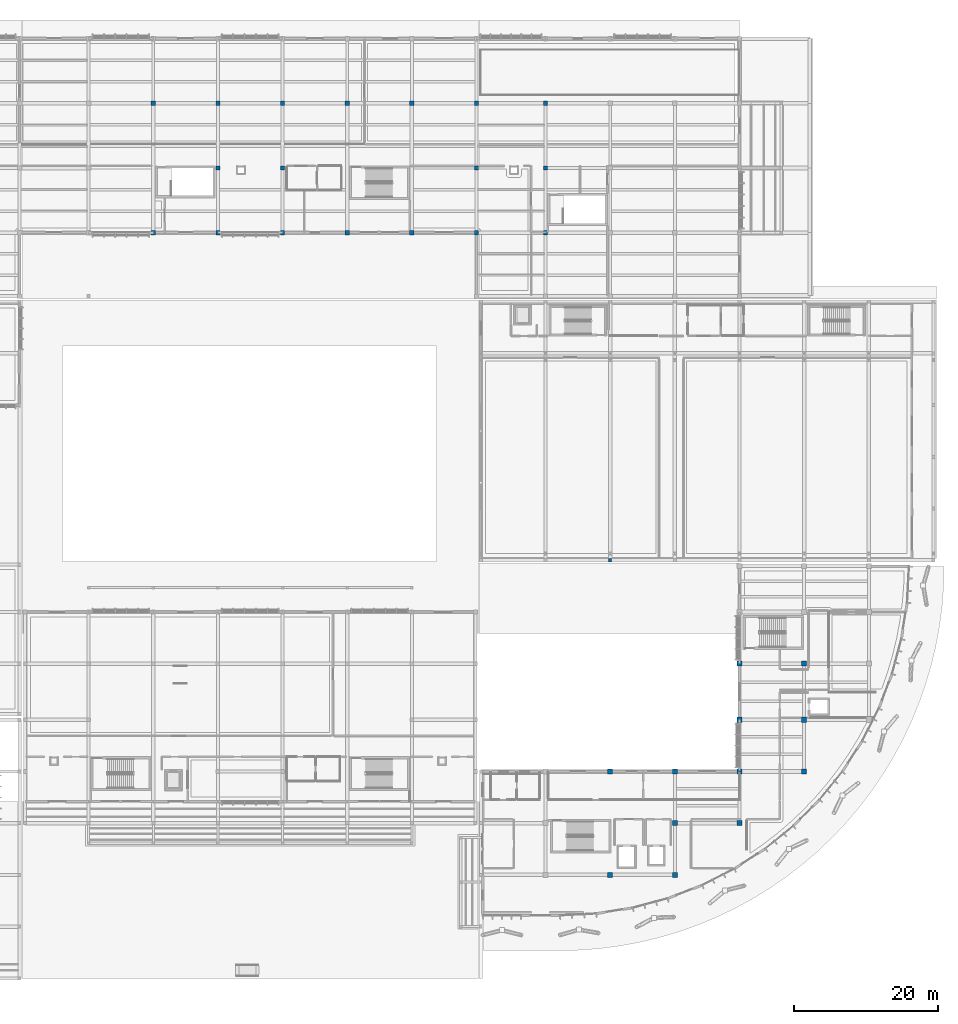
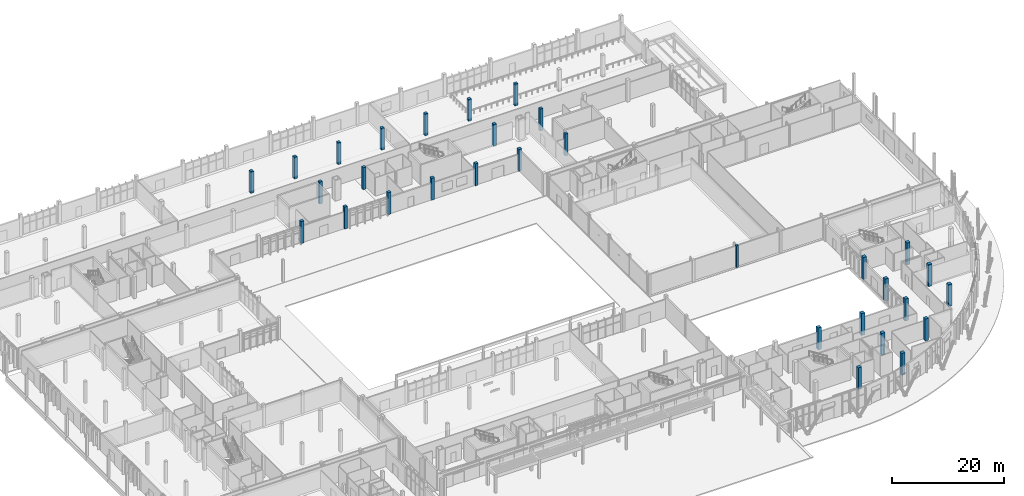
# One storey, part 6 of 151: 31 columns.
"""IFC4 building model written with IfcOpenShell, lengths in metres."""

from ifc_helpers import new_model, si_unit, direction, frame, origin, origin_2d, place, context, subcontext, project, spatial, rectangle, extrude, material, material_profile, profile_set, type_object, element, save


model = new_model("IFC4")

# Units and contexts
model_context = context("Model", 3, precision=1e-05, world=origin(), true_north=direction((0.0, 1.0)))
body_context = subcontext(model_context, "Body", "Model", "MODEL_VIEW")
ifc_project = project(units=[si_unit("LENGTHUNIT", "METRE"), si_unit("AREAUNIT", "SQUARE_METRE"), si_unit("VOLUMEUNIT", "CUBIC_METRE"), si_unit("PLANEANGLEUNIT", "RADIAN"), si_unit("MASSUNIT", "GRAM", prefix="KILO")], contexts=[model_context])

# Site, building, storey
site_placement = place(None, origin())
site = spatial("IfcSite", under=ifc_project, at=site_placement, CompositionType="ELEMENT")
building_placement = place(site_placement, origin())
building = spatial("IfcBuilding", under=site, at=building_placement, Name="Chiffa Square Polytechnic", CompositionType="ELEMENT")
storey_placement = place(building_placement, origin())
storey = spatial("IfcBuildingStorey", under=building, at=storey_placement, Name="L00", CompositionType="ELEMENT", Elevation=0.0)

# Columns
ifc_material_1 = material(Name="Glulam GL32c", Category="wood")
ifc_material_profile_1 = material_profile(ifc_material_1, rectangle(XDim=0.419921875, YDim=0.419921875, at=origin_2d()), Name="GL32c 420x420")
ifc_profile_set_1 = profile_set([ifc_material_profile_1], Name="Glulam GL32c")
column_type_1 = type_object("IfcColumnType", Name="COL-GL-420", PredefinedType="COLUMN", material=ifc_profile_set_1)
column_placement = place(storey_placement, frame((130.199951171875, 58.199951171875, 0.0), z_axis=(0.0, 0.0, 1.0), x_axis=(1.0, 0.0, 0.0)))
element("IfcColumn", 1, at=column_placement, inside=storey, type_object=column_type_1, Name="Column C-V2-L00-1302-0582", PredefinedType="COLUMN", context=body_context, shape_type="SweptSolid", body=[
    extrude(rectangle(XDim=0.419921875, YDim=0.419921875, at=origin_2d()), origin(), (0.0, 0.0, 1.0), 4.800048828125),
])
ifc_material_2 = material(Name="Concrete C40/50", Category="concrete")
ifc_material_profile_2 = material_profile(ifc_material_2, rectangle(XDim=0.60009765625, YDim=0.60009765625, at=origin_2d()), Name="RC 600x600")
ifc_profile_set_2 = profile_set([ifc_material_profile_2], Name="Concrete C40/50")
column_type_2 = type_object("IfcColumnType", Name="COL-RC-600", PredefinedType="COLUMN", material=ifc_profile_set_2)
for number, where, z_axis, x_axis, name in (
    (2, (66.60009765625, 103.800048828125, 0.0), (0.0, 0.0, 1.0), (1.0, 0.0, 0.0), "Column C-V5-L00-0666-1038"),
    (3, (66.60009765625, 121.800048828125, 0.0), (0.0, 0.0, 1.0), (1.0, 0.0, 0.0), "Column C-V5-L00-0666-1218"),
    (4, (75.60009765625, 103.800048828125, 0.0), (0.0, 0.0, 1.0), (1.0, 0.0, 0.0), "Column C-V5-L00-0756-1038"),
    (5, (75.60009765625, 112.800048828125, 0.0), (0.0, 0.0, 1.0), (1.0, 0.0, 0.0), "Column C-V5-L00-0756-1128"),
    (6, (75.60009765625, 121.800048828125, 0.0), (0.0, 0.0, 1.0), (1.0, 0.0, 0.0), "Column C-V5-L00-0756-1218"),
    (7, (84.60009765625, 103.800048828125, 0.0), (0.0, 0.0, 1.0), (1.0, 0.0, 0.0), "Column C-V5-L00-0846-1038"),
    (8, (84.60009765625, 112.800048828125, 0.0), (0.0, 0.0, 1.0), (1.0, 0.0, 0.0), "Column C-V5-L00-0846-1128"),
    (9, (84.60009765625, 121.800048828125, 0.0), (0.0, 0.0, 1.0), (1.0, 0.0, 0.0), "Column C-V5-L00-0846-1218"),
    (10, (93.60009765625, 103.800048828125, 0.0), (0.0, 0.0, 1.0), (1.0, 0.0, 0.0), "Column C-V5-L00-0936-1038"),
    (11, (93.60009765625, 121.800048828125, 0.0), (0.0, 0.0, 1.0), (1.0, 0.0, 0.0), "Column C-V5-L00-0936-1218"),
    (12, (102.60009765625, 103.800048828125, 0.0), (0.0, 0.0, 1.0), (1.0, 0.0, 0.0), "Column C-V5-L00-1026-1038"),
    (13, (102.60009765625, 121.800048828125, 0.0), (0.0, 0.0, 1.0), (1.0, 0.0, 0.0), "Column C-V5-L00-1026-1218"),
    (14, (111.60009765625, 103.800048828125, 0.0), (0.0, 0.0, 1.0), (1.0, 0.0, 0.0), "Column C-V5-L00-1116-1038"),
    (15, (111.60009765625, 112.800048828125, 0.0), (0.0, 0.0, 1.0), (1.0, 0.0, 0.0), "Column C-V5-L00-1116-1128"),
    (16, (111.60009765625, 121.800048828125, 0.0), (0.0, 0.0, 1.0), (1.0, 0.0, 0.0), "Column C-V5-L00-1116-1218"),
    (17, (121.199951171875, 103.800048828125, 0.0), (0.0, 0.0, 1.0), (1.0, 0.0, 0.0), "Column C-V5-L00-1212-1038"),
    (18, (121.199951171875, 112.800048828125, 0.0), (0.0, 0.0, 1.0), (1.0, 0.0, 0.0), "Column C-V5-L00-1212-1128"),
    (19, (121.199951171875, 121.800048828125, 0.0), (0.0, 0.0, 1.0), (1.0, 0.0, 0.0), "Column C-V5-L00-1212-1218"),
):
    element("IfcColumn", number, at=place(storey_placement, frame(where, z_axis=z_axis, x_axis=x_axis)), inside=storey, type_object=column_type_2, Name=name, PredefinedType="COLUMN", context=body_context, shape_type="SweptSolid", body=[
        extrude(rectangle(XDim=0.60009765625, YDim=0.60009765625, at=origin_2d()), origin(), (0.0, 0.0, 1.0), 4.800048828125),
    ])
ifc_material_profile_3 = material_profile(ifc_material_2, rectangle(XDim=0.699951171875, YDim=0.699951171875, at=origin_2d()), Name="RC 700x700")
ifc_profile_set_3 = profile_set([ifc_material_profile_3], Name="Concrete C40/50")
column_type_3 = type_object("IfcColumnType", Name="COL-RC-700", PredefinedType="COLUMN", material=ifc_profile_set_3)
for number, where, z_axis, x_axis, name in (
    (20, (130.199951171875, 14.39990234375, 0.0), (0.0, 0.0, 1.0), (1.0, 0.0, 0.0), "Column C-V1-L00-1302-0144"),
    (21, (130.199951171875, 28.800048828125, 0.0), (0.0, 0.0, 1.0), (1.0, 0.0, 0.0), "Column C-V1-L00-1302-0288"),
    (22, (139.199951171875, 14.39990234375, 0.0), (0.0, 0.0, 1.0), (1.0, 0.0, 0.0), "Column C-V1-L00-1392-0144"),
    (23, (139.199951171875, 21.60009765625, 0.0), (0.0, 0.0, 1.0), (1.0, 0.0, 0.0), "Column C-V1-L00-1392-0216"),
    (24, (139.199951171875, 28.800048828125, 0.0), (0.0, 0.0, 1.0), (1.0, 0.0, 0.0), "Column C-V1-L00-1392-0288"),
    (25, (148.199951171875, 21.60009765625, 0.0), (0.0, 0.0, 1.0), (1.0, 0.0, 0.0), "Column C-V1-L00-1482-0216"),
    (26, (148.199951171875, 28.800048828125, 0.0), (0.0, 0.0, 1.0), (1.0, 0.0, 0.0), "Column C-V1-L00-1482-0288"),
    (27, (148.199951171875, 36.0, 0.0), (0.0, 0.0, 1.0), (1.0, 0.0, 0.0), "Column C-V1-L00-1482-0360"),
    (28, (148.199951171875, 43.800048828125, 0.0), (0.0, 0.0, 1.0), (1.0, 0.0, 0.0), "Column C-V1-L00-1482-0438"),
    (29, (157.199951171875, 28.800048828125, 0.0), (0.0, 0.0, 1.0), (1.0, 0.0, 0.0), "Column C-V1-L00-1572-0288"),
    (30, (157.199951171875, 36.0, 0.0), (0.0, 0.0, 1.0), (1.0, 0.0, 0.0), "Column C-V1-L00-1572-0360"),
    (31, (157.199951171875, 43.800048828125, 0.0), (0.0, 0.0, 1.0), (1.0, 0.0, 0.0), "Column C-V1-L00-1572-0438"),
):
    element("IfcColumn", number, at=place(storey_placement, frame(where, z_axis=z_axis, x_axis=x_axis)), inside=storey, type_object=column_type_3, Name=name, PredefinedType="COLUMN", context=body_context, shape_type="SweptSolid", body=[
        extrude(rectangle(XDim=0.699951171875, YDim=0.699951171875, at=origin_2d()), origin(), (0.0, 0.0, 1.0), 4.800048828125),
    ])

save(model, "model.ifc")
